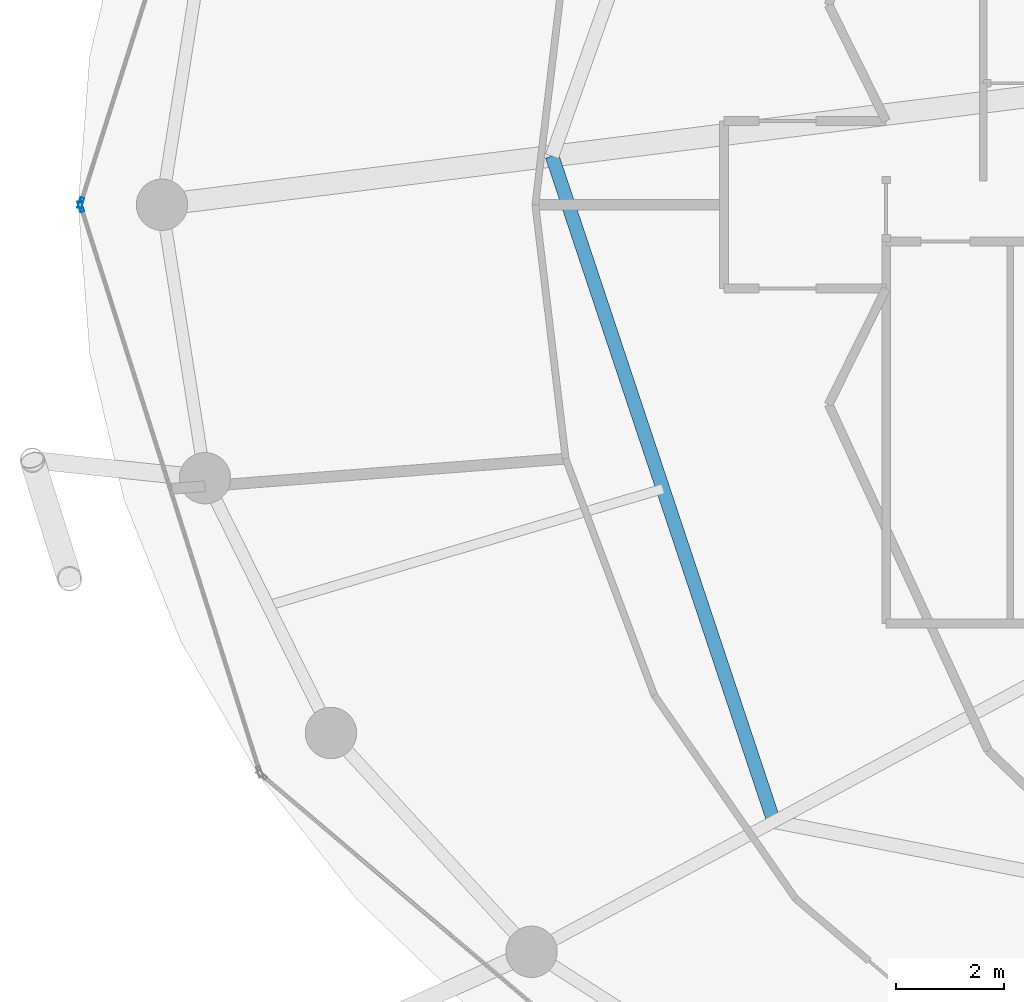
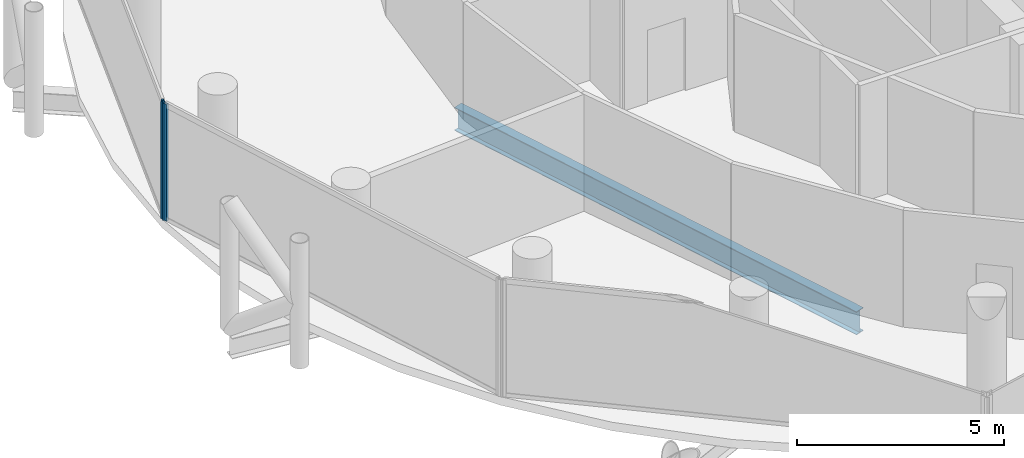
# One storey, part 6 of 26: 2 members, 1 beam, 2 elements without a shape of their own.
"""IFC4 building model written with IfcOpenShell, lengths in metres."""

from ifc_helpers import new_model, si_unit, direction, frame, origin, origin_2d, place, context, subcontext, project, spatial, hollow_rectangle, i_section, extrude, material, layer, layer_set, material_profile, profile_set, type_object, element, aggregate, save


model = new_model("IFC4")

# Units and contexts
model_context = context("Model", 3, precision=1e-05, world=origin(), true_north=direction((0.0, 1.0)))
body_context = subcontext(model_context, "Body", "Model", "MODEL_VIEW")
ifc_project = project(units=[si_unit("LENGTHUNIT", "METRE"), si_unit("AREAUNIT", "SQUARE_METRE"), si_unit("VOLUMEUNIT", "CUBIC_METRE"), si_unit("PLANEANGLEUNIT", "RADIAN"), si_unit("MASSUNIT", "GRAM", prefix="KILO")], contexts=[model_context])

# Site, building, storey
site_placement = place(None, origin())
site = spatial("IfcSite", under=ifc_project, at=site_placement, CompositionType="ELEMENT")
building_placement = place(site_placement, origin())
building = spatial("IfcBuilding", under=site, at=building_placement, Name="Nuhasar Tower", CompositionType="ELEMENT")
storey_placement = place(building_placement, frame((0.0, 0.0, 140.449951171875)))
storey = spatial("IfcBuildingStorey", under=building, at=storey_placement, Name="L33", CompositionType="ELEMENT", Elevation=140.449951171875)

# Beam
ifc_material_1 = material(Name="Steel S355", Category="steel")
ifc_material_profile_1 = material_profile(ifc_material_1, i_section(OverallWidth=0.25390625, OverallDepth=0.68408203125, WebThickness=0.012451171875, FlangeThickness=0.018798828125, at=origin_2d()), Name="W27X94")
ifc_profile_set_1 = profile_set([ifc_material_profile_1], Name="Steel S355")
beam_type = type_object("IfcBeamType", Name="BM-INRING-W27X94", PredefinedType="BEAM", material=ifc_profile_set_1)
beam_placement = place(storey_placement, frame((22.8701171875, 27.699951171875, -0.592041015625), z_axis=(0.31609797573, -0.948726551615, 0.0), x_axis=(0.948726551615, 0.31609797573, 0.0)))
element("IfcBeam", 1, at=beam_placement, inside=storey, type_object=beam_type, Name="L33 Inner Header Beam 08", PredefinedType="BEAM", context=body_context, shape_type="SweptSolid", body=[
    extrude(i_section(OverallWidth=0.25390625, OverallDepth=0.68408203125, WebThickness=0.012451171875, FlangeThickness=0.018798828125, at=origin_2d()), origin(), (0.0, 0.0, 1.0), 12.9794921875),
])

# Curtain wall, member
ifc_material_2 = material(Name="Aluminium 6063-T6", Category="aluminium")
ifc_layer = layer(ifc_material_2, 0.199951171875)
ifc_layer_set = layer_set([ifc_layer], Name="Aluminium 6063-T6")
curtain_wall_type = type_object("IfcCurtainWallType", Name="CW-Z2-HTL", PredefinedType="NOTDEFINED", material=ifc_layer_set)
curtain_wall_1_placement = place(storey_placement, origin())
curtain_wall_1 = element("IfcCurtainWall", 2, at=curtain_wall_1_placement, inside=storey, type_object=curtain_wall_type, Name="L33 Unitised Curtain Wall 06", PredefinedType="NOTDEFINED")
ifc_material_profile_2 = material_profile(ifc_material_2, hollow_rectangle(XDim=0.070068359375, YDim=0.199951171875, WallThickness=0.0048828125, at=origin_2d()), Name="CWM-3")
ifc_profile_set_2 = profile_set([ifc_material_profile_2], Name="Aluminium 6063-T6")
member_type = type_object("IfcMemberType", Name="CW-MUL-S3", PredefinedType="MULLION", material=ifc_profile_set_2)
member_1_placement = place(storey_placement, frame((14.150634765625, 26.833251953125, 0.0), z_axis=(0.0, 0.0, 1.0), x_axis=(0.953433389233, -0.301603667577, 0.0)))
member_1 = element("IfcMember", 3, at=member_1_placement, type_object=member_type, Name="CW-Z2 mullion 2", PredefinedType="MULLION", context=body_context, shape_type="SweptSolid", body=[
    extrude(hollow_rectangle(XDim=0.070068359375, YDim=0.199951171875, WallThickness=0.0048828125, at=origin_2d()), origin(), (0.0, 0.0, 1.0), 3.449951171875),
])
aggregate(curtain_wall_1, [member_1])

curtain_wall_2_placement = place(storey_placement, origin())
curtain_wall_2 = element("IfcCurtainWall", 4, at=curtain_wall_2_placement, inside=storey, type_object=curtain_wall_type, Name="L33 Unitised Curtain Wall 07", PredefinedType="NOTDEFINED")
member_2_placement = place(storey_placement, frame((14.150634765625, 26.7666015625, 0.0), z_axis=(0.0, 0.0, 1.0), x_axis=(0.953433389233, 0.301603667577, 0.0)))
member_2 = element("IfcMember", 5, at=member_2_placement, type_object=member_type, Name="CW-Z2 mullion 1", PredefinedType="MULLION", context=body_context, shape_type="SweptSolid", body=[
    extrude(hollow_rectangle(XDim=0.070068359375, YDim=0.199951171875, WallThickness=0.0048828125, at=origin_2d()), origin(), (0.0, 0.0, 1.0), 3.449951171875),
])
aggregate(curtain_wall_2, [member_2])

save(model, "model.ifc")
